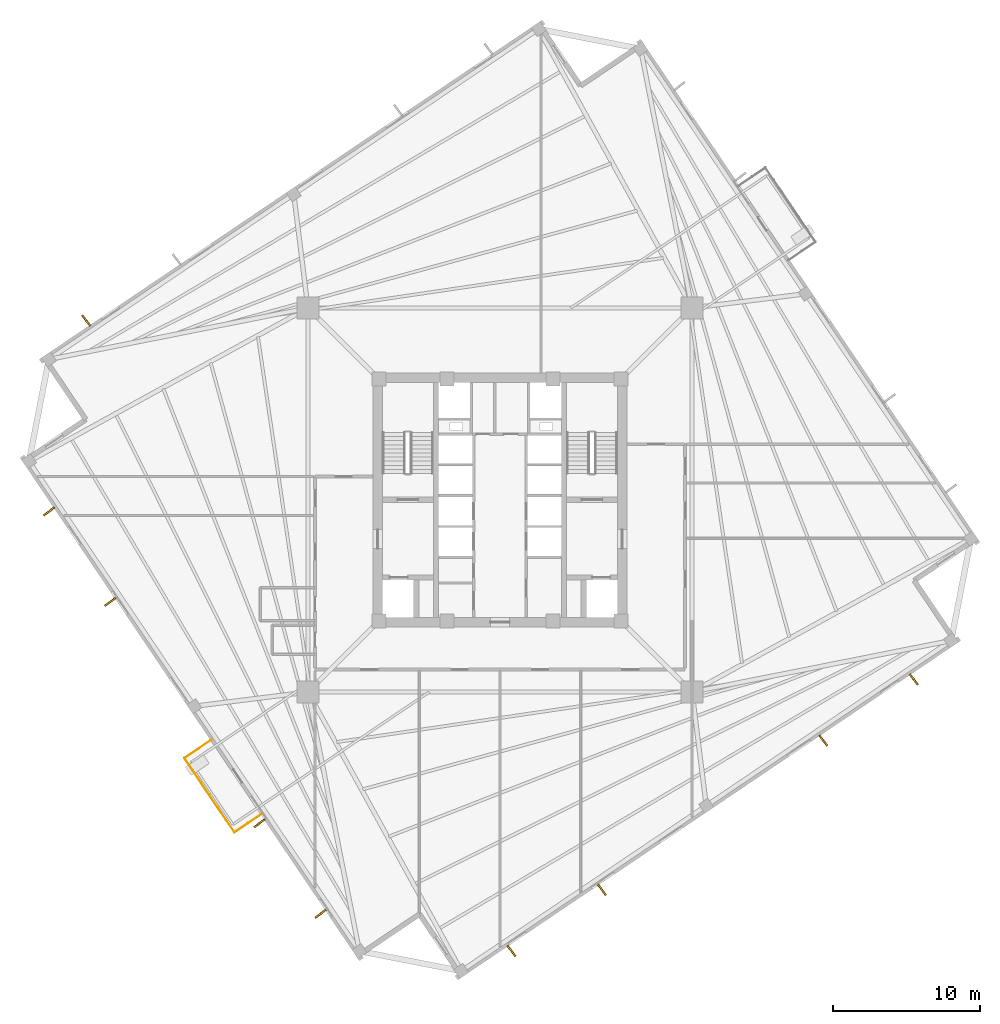
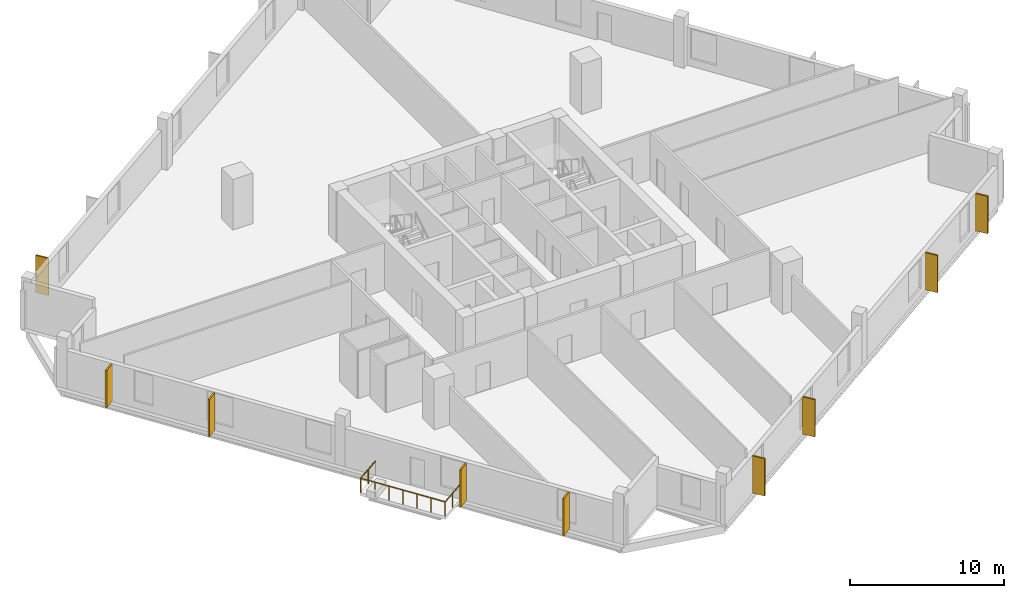
# One storey, part 7 of 9: 9 coverings, 3 railings.
"""IFC4 building model written with IfcOpenShell, lengths in metres."""

from ifc_helpers import new_model, si_unit, direction, frame, origin, origin_2d, place, context, subcontext, project, spatial, rectangle, circle, extrude, source, transform, mapped, material, layer, layer_set, type_object, element, save


model = new_model("IFC4")

# Units and contexts
model_context = context("Model", 3, precision=1e-05, world=origin(), true_north=direction((0.0, 1.0)))
body_context = subcontext(model_context, "Body", "Model", "MODEL_VIEW")
ifc_project = project(units=[si_unit("LENGTHUNIT", "METRE"), si_unit("AREAUNIT", "SQUARE_METRE"), si_unit("VOLUMEUNIT", "CUBIC_METRE"), si_unit("PLANEANGLEUNIT", "RADIAN"), si_unit("MASSUNIT", "GRAM", prefix="KILO"), si_unit("THERMODYNAMICTEMPERATUREUNIT", "KELVIN")], contexts=[model_context])

# Site, building, storey
site_placement = place(None, origin())
site = spatial("IfcSite", under=ifc_project, at=site_placement, CompositionType="ELEMENT")
building_placement = place(site_placement, origin())
building = spatial("IfcBuilding", under=site, at=building_placement, Name="Kosmvard Interchange Tower", CompositionType="ELEMENT")
storey_placement = place(building_placement, frame((0.0, 0.0, 192.39990234375)))
storey = spatial("IfcBuildingStorey", under=building, at=storey_placement, Name="L46", CompositionType="ELEMENT", Elevation=192.39990234375)

# Coverings
ifc_material_1 = material(Name="Architectural anodised aluminium", Category="aluminium")
ifc_layer = layer(ifc_material_1, 0.1201171875, Name="Architectural anodised aluminium")
ifc_layer_set = layer_set([ifc_layer], Name="Architectural anodised aluminium")
covering_type = type_object("IfcCoveringType", Name="Rotating Vertical Sun-Breaker Fin 900x120 Aluminium", PredefinedType="CLADDING", material=ifc_layer_set)
shared_shape_1 = source(origin(), body_context, "Body", "SweptSolid", [
    extrude(rectangle(XDim=0.89990234375, YDim=0.1201171875, at=origin_2d()), origin(), (0.0, 0.0, 1.0), 2.9599609375),
])
for number, where, z_axis, x_axis, name in (
    (1, (0.774169921875, -30.718994140625, 0.0400390625), (0.0, 0.0, 1.0), (0.59454215154, -0.804064443961, 0.0), "L46 Rotating Vertical Sun-Breaker Fin 01"),
    (2, (6.943115234375, -26.557861328125, 0.0400390625), (0.0, 0.0, 1.0), (0.59454215154, -0.804064443961, 0.0), "L46 Rotating Vertical Sun-Breaker Fin 02"),
    (3, (22.02294921875, -16.38623046875, 0.0400390625), (0.0, 0.0, 1.0), (0.59454215154, -0.804064443961, 0.0), "L46 Rotating Vertical Sun-Breaker Fin 03"),
    (4, (28.192138671875, -12.225341796875, 0.0400390625), (0.0, 0.0, 1.0), (0.59454215154, -0.804064443961, 0.0), "L46 Rotating Vertical Sun-Breaker Fin 04"),
    (5, (-28.192138671875, 12.225341796875, 0.0400390625), (0.0, 0.0, 1.0), (-0.59454215154, 0.804064443961, 0.0), "L46 Rotating Vertical Sun-Breaker Fin 12"),
    (6, (-30.718994140625, -0.774169921875, 0.0400390625), (0.0, 0.0, 1.0), (-0.804064443961, -0.59454215154, 0.0), "L46 Rotating Vertical Sun-Breaker Fin 13"),
    (7, (-26.557861328125, -6.943115234375, 0.0400390625), (0.0, 0.0, 1.0), (-0.804064443961, -0.59454215154, 0.0), "L46 Rotating Vertical Sun-Breaker Fin 14"),
    (8, (-16.38623046875, -22.02294921875, 0.0400390625), (0.0, 0.0, 1.0), (-0.804064443961, -0.59454215154, 0.0), "L46 Rotating Vertical Sun-Breaker Fin 15"),
    (9, (-12.225341796875, -28.192138671875, 0.0400390625), (0.0, 0.0, 1.0), (-0.804064443961, -0.59454215154, 0.0), "L46 Rotating Vertical Sun-Breaker Fin 16"),
):
    element("IfcCovering", number, at=place(storey_placement, frame(where, z_axis=z_axis, x_axis=x_axis)), inside=storey, type_object=covering_type, Name=name, PredefinedType="CLADDING", context=body_context, shape_type="MappedRepresentation", body=[
        mapped(shared_shape_1, transform((0.0, 0.0, 0.0), scale=1.0)),
    ])

# Railings
ifc_material_2 = material(Name="Steel S355", Category="steel")
railing_type = type_object("IfcRailingType", Name="Observation & Balcony Glass-Infill Balustrade 1150", PredefinedType="BALUSTRADE", material=ifc_material_2)
shared_shape_2 = source(origin(), body_context, "Body", "SweptSolid", [
    extrude(circle(Radius=0.02392578125, at=origin_2d()), frame((0.0, 0.0, 1.1259765625), z_axis=(0.829050594418, 0.559173597279, 0.0), x_axis=(-0.559173597279, 0.829050594418, 0.0)), (0.0, 0.0, 1.0), 2.2001953125),
    extrude(circle(Radius=0.02099609375, at=origin_2d()), origin(), (0.0, 0.0, 1.0), 1.101806640625),
    extrude(circle(Radius=0.02099609375, at=origin_2d()), frame((0.912109375, 0.615234375, 0.0)), (0.0, 0.0, 1.0), 1.101806640625),
    extrude(circle(Radius=0.02099609375, at=origin_2d()), frame((1.823974609375, 1.230224609375, 0.0)), (0.0, 0.0, 1.0), 1.101806640625),
])
railing_1_placement = place(storey_placement, frame((-18.0859375, -22.6328125, 0.0)))
element("IfcRailing", 10, at=railing_1_placement, inside=storey, type_object=railing_type, Name="L46 Outdoor Terrace Guard BAL-L46-W-C", PredefinedType="BALUSTRADE", context=body_context, shape_type="MappedRepresentation", body=[
    mapped(shared_shape_2, transform((0.0, 0.0, 0.0), scale=1.0)),
])
shared_shape_3 = source(origin(), body_context, "Body", "SweptSolid", [
    extrude(circle(Radius=0.02392578125, at=origin_2d()), frame((0.0, 0.0, 1.1259765625), z_axis=(-0.829050594418, -0.559173597279, 0.0), x_axis=(0.559173597279, -0.829050594418, 0.0)), (0.0, 0.0, 1.0), 2.2001953125),
    extrude(circle(Radius=0.02099609375, at=origin_2d()), origin(), (0.0, 0.0, 1.0), 1.101806640625),
    extrude(circle(Radius=0.02099609375, at=origin_2d()), frame((-0.912109375, -0.615234375, 0.0)), (0.0, 0.0, 1.0), 1.101806640625),
    extrude(circle(Radius=0.02099609375, at=origin_2d()), frame((-1.823974609375, -1.230224609375, 0.0)), (0.0, 0.0, 1.0), 1.101806640625),
])
railing_2_placement = place(storey_placement, frame((-19.673095703125, -16.345458984375, 0.0)))
element("IfcRailing", 11, at=railing_2_placement, inside=storey, type_object=railing_type, Name="L46 Outdoor Terrace Guard BAL-L46-W-A", PredefinedType="BALUSTRADE", context=body_context, shape_type="MappedRepresentation", body=[
    mapped(shared_shape_3, transform((0.0, 0.0, 0.0), scale=1.0)),
])
shared_shape_4 = source(origin(), body_context, "Body", "SweptSolid", [
    extrude(circle(Radius=0.02392578125, at=origin_2d()), frame((0.0, 0.0, 1.1259765625), z_axis=(0.55919924627, -0.829033294248, 0.0), x_axis=(0.829033294248, 0.55919924627, 0.0)), (0.0, 0.0, 1.0), 6.10009765625),
    extrude(circle(Radius=0.02099609375, at=origin_2d()), origin(), (0.0, 0.0, 1.0), 1.101806640625),
    extrude(circle(Radius=0.02099609375, at=origin_2d()), frame((0.568603515625, -0.8427734375, 0.0)), (0.0, 0.0, 1.0), 1.101806640625),
    extrude(circle(Radius=0.02099609375, at=origin_2d()), frame((1.136962890625, -1.685791015625, 0.0)), (0.0, 0.0, 1.0), 1.101806640625),
    extrude(circle(Radius=0.02099609375, at=origin_2d()), frame((1.70556640625, -2.528564453125, 0.0)), (0.0, 0.0, 1.0), 1.101806640625),
    extrude(circle(Radius=0.02099609375, at=origin_2d()), frame((2.274169921875, -3.371337890625, 0.0)), (0.0, 0.0, 1.0), 1.101806640625),
    extrude(circle(Radius=0.02099609375, at=origin_2d()), frame((2.842529296875, -4.21435546875, 0.0)), (0.0, 0.0, 1.0), 1.101806640625),
    extrude(circle(Radius=0.02099609375, at=origin_2d()), frame((3.4111328125, -5.05712890625, 0.0)), (0.0, 0.0, 1.0), 1.101806640625),
])
railing_3_placement = place(storey_placement, frame((-21.4970703125, -17.57568359375, 0.0)))
element("IfcRailing", 12, at=railing_3_placement, inside=storey, type_object=railing_type, Name="L46 Outdoor Terrace Guard BAL-L46-W-B", PredefinedType="BALUSTRADE", context=body_context, shape_type="MappedRepresentation", body=[
    mapped(shared_shape_4, transform((0.0, 0.0, 0.0), scale=1.0)),
])

save(model, "model.ifc")
